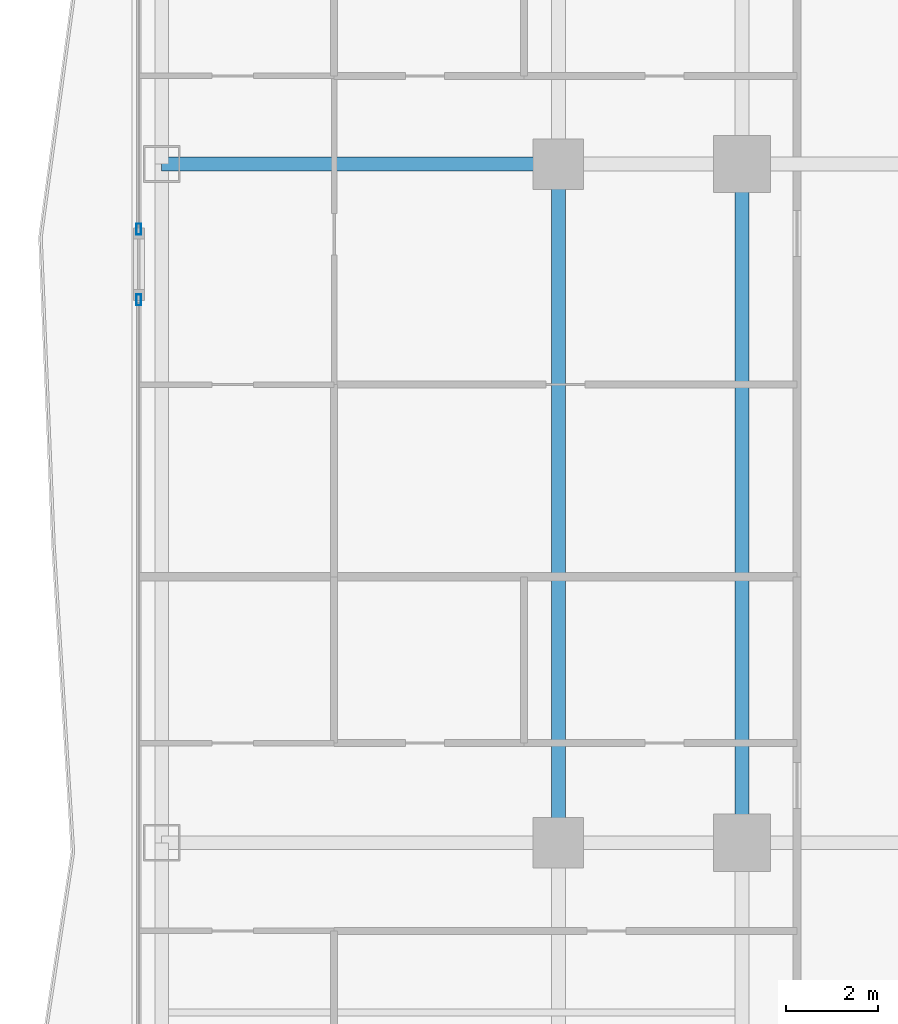
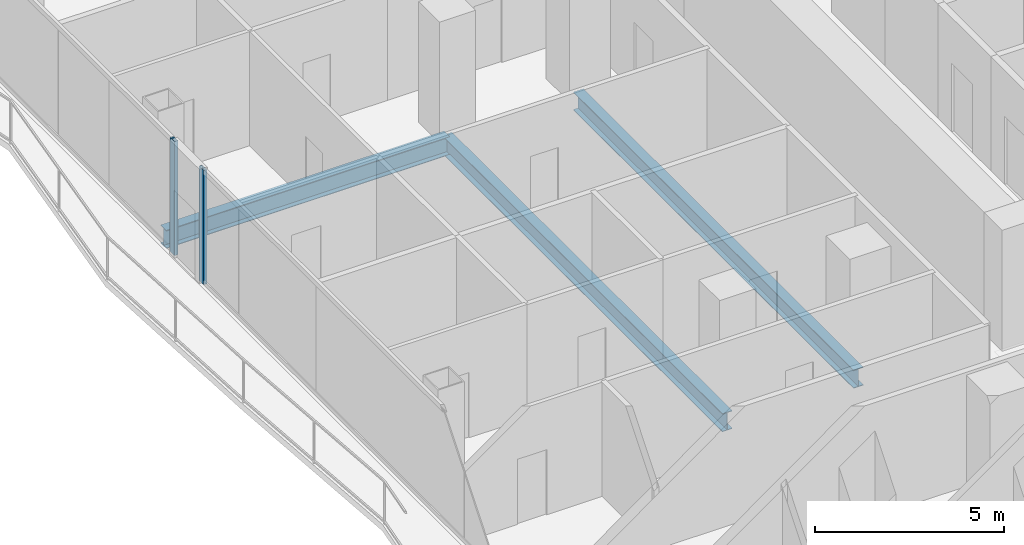
# One storey, part 6 of 27: 3 beams, 2 members, 2 elements without a shape of their own.
"""IFC4 building model written with IfcOpenShell, lengths in metres."""

from ifc_helpers import new_model, si_unit, direction, frame, origin, origin_2d, place, context, subcontext, project, spatial, hollow_rectangle, i_section, extrude, material, layer, layer_set, material_profile, profile_set, type_object, element, aggregate, save


model = new_model("IFC4")

# Units and contexts
model_context = context("Model", 3, precision=1e-05, world=origin(), true_north=direction((0.0, 1.0)))
body_context = subcontext(model_context, "Body", "Model", "MODEL_VIEW")
ifc_project = project(units=[si_unit("LENGTHUNIT", "METRE"), si_unit("AREAUNIT", "SQUARE_METRE"), si_unit("VOLUMEUNIT", "CUBIC_METRE"), si_unit("PLANEANGLEUNIT", "RADIAN"), si_unit("MASSUNIT", "GRAM", prefix="KILO")], contexts=[model_context])

# Site, building, storey
site_placement = place(None, origin())
site = spatial("IfcSite", under=ifc_project, at=site_placement, CompositionType="ELEMENT")
building_placement = place(site_placement, origin())
building = spatial("IfcBuilding", under=site, at=building_placement, Name="Khorvyn Point Tower", CompositionType="ELEMENT")
storey_placement = place(building_placement, frame((0.0, 0.0, 96.89990234375)))
storey = spatial("IfcBuildingStorey", under=building, at=storey_placement, Name="L24", CompositionType="ELEMENT", Elevation=96.89990234375)

# Curtain wall, member
ifc_material_1 = material(Name="Anodised aluminium 6063-T6 and laminated Low-E glass", Category="aluminium")
ifc_layer = layer(ifc_material_1, 0.18994140625)
ifc_layer_set = layer_set([ifc_layer], Name="Stick-Built Finned Residential Curtain Wall CW-SYS-02")
curtain_wall_type = type_object("IfcCurtainWallType", Name="Stick-Built Finned Residential Curtain Wall CW-SYS-02", PredefinedType="NOTDEFINED", material=ifc_layer_set)
curtain_wall_1_placement = place(storey_placement, origin())
curtain_wall_1 = element("IfcCurtainWall", 1, at=curtain_wall_1_placement, inside=storey, type_object=curtain_wall_type, Name="Curtain Wall", PredefinedType="NOTDEFINED")
ifc_material_2 = material(Name="Anodised aluminium 6063-T6", Category="aluminium")
ifc_material_profile_1 = material_profile(ifc_material_2, hollow_rectangle(XDim=0.10009765625, YDim=0.239990234375, WallThickness=0.0048828125, at=origin_2d()))
ifc_profile_set_1 = profile_set([ifc_material_profile_1], Name="Anodised aluminium 6063-T6 ALU-MUL-100x240")
member_type = type_object("IfcMemberType", Name="Anodised Aluminium 6063-T6 Mullion ALU-MUL-100x240", PredefinedType="MULLION", material=ifc_profile_set_1)
member_1_placement = place(storey_placement, frame((-27.949951171875, 4.43994140625, 0.0), z_axis=(0.0, 0.0, 1.0), x_axis=(-1.0, 0.0, 0.0)))
member_1 = element("IfcMember", 2, at=member_1_placement, type_object=member_type, Name="Transom", PredefinedType="MULLION", context=body_context, shape_type="SweptSolid", body=[
    extrude(hollow_rectangle(XDim=0.10009765625, YDim=0.239990234375, WallThickness=0.0048828125, at=origin_2d()), origin(), (0.0, 0.0, 1.0), 3.68017578125),
])
aggregate(curtain_wall_1, [member_1])

curtain_wall_2_placement = place(storey_placement, origin())
curtain_wall_2 = element("IfcCurtainWall", 3, at=curtain_wall_2_placement, inside=storey, type_object=curtain_wall_type, Name="Curtain Wall", PredefinedType="NOTDEFINED")
member_2_placement = place(storey_placement, frame((-27.949951171875, 5.97998046875, 0.0), z_axis=(0.0, 0.0, 1.0), x_axis=(-1.0, 0.0, 0.0)))
member_2 = element("IfcMember", 4, at=member_2_placement, type_object=member_type, Name="Transom", PredefinedType="MULLION", context=body_context, shape_type="SweptSolid", body=[
    extrude(hollow_rectangle(XDim=0.10009765625, YDim=0.239990234375, WallThickness=0.0048828125, at=origin_2d()), origin(), (0.0, 0.0, 1.0), 3.68017578125),
])
aggregate(curtain_wall_2, [member_2])

# Beams
ifc_material_3 = material(Name="Steel S355", Category="steel")
ifc_material_profile_2 = material_profile(ifc_material_3, i_section(OverallWidth=0.300048828125, OverallDepth=0.587890625, WebThickness=0.011962890625, FlangeThickness=0.02001953125, at=origin_2d()))
ifc_profile_set_2 = profile_set([ifc_material_profile_2], Name="Steel S355 H588x300x12x20")
beam_type = type_object("IfcBeamType", Name="Steel S355 Beam H588x300x12x20", PredefinedType="BEAM", material=ifc_profile_set_2)
beam_placement = place(storey_placement, frame((-27.449951171875, 7.39990234375, -0.513916015625), z_axis=(1.0, 0.0, 0.0), x_axis=(0.0, 1.0, 0.0)))
element("IfcBeam", 5, at=beam_placement, inside=storey, type_object=beam_type, Name="Beam", PredefinedType="BEAM", context=body_context, shape_type="SweptSolid", body=[
    extrude(i_section(OverallWidth=0.300048828125, OverallDepth=0.587890625, WebThickness=0.011962890625, FlangeThickness=0.02001953125, at=origin_2d()), origin(), (0.0, 0.0, 1.0), 8.64990234375),
])
for number, where, z_axis, x_axis, name in (
    (6, (-14.800048828125, -7.39990234375, -0.513916015625), (0.0, 1.0, 0.0), (-1.0, 0.0, 0.0), "Beam"),
    (7, (-18.800048828125, -7.39990234375, -0.513916015625), (0.0, 1.0, 0.0), (-1.0, 0.0, 0.0), "Beam"),
):
    element("IfcBeam", number, at=place(storey_placement, frame(where, z_axis=z_axis, x_axis=x_axis)), inside=storey, type_object=beam_type, Name=name, PredefinedType="BEAM", context=body_context, shape_type="SweptSolid", body=[
        extrude(i_section(OverallWidth=0.300048828125, OverallDepth=0.587890625, WebThickness=0.011962890625, FlangeThickness=0.02001953125, at=origin_2d()), origin(), (0.0, 0.0, 1.0), 14.7998046875),
    ])

save(model, "model.ifc")
